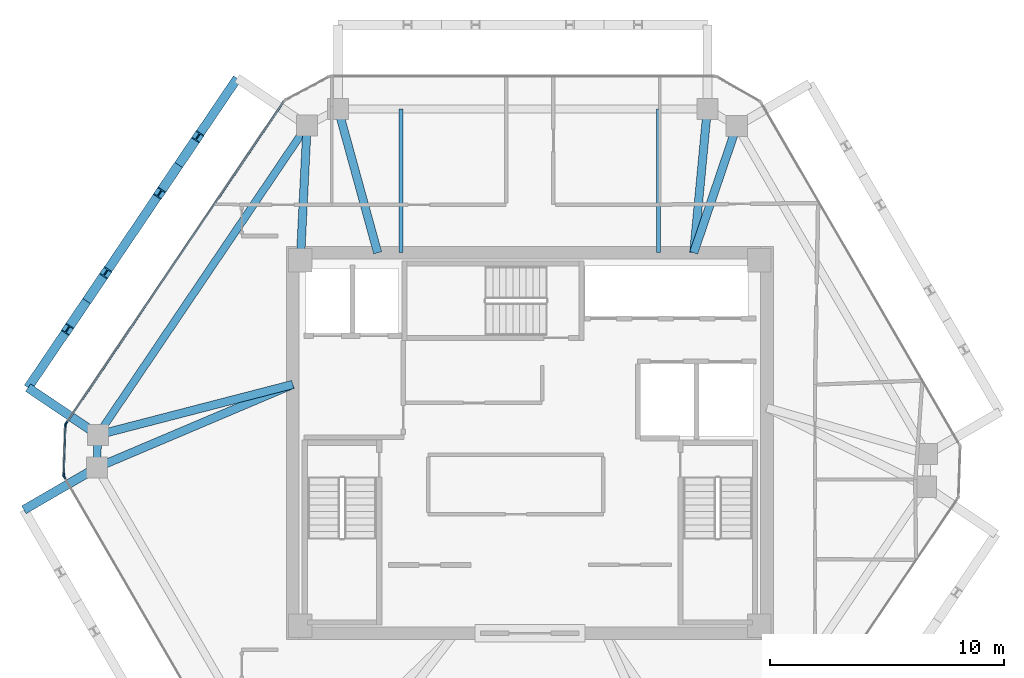
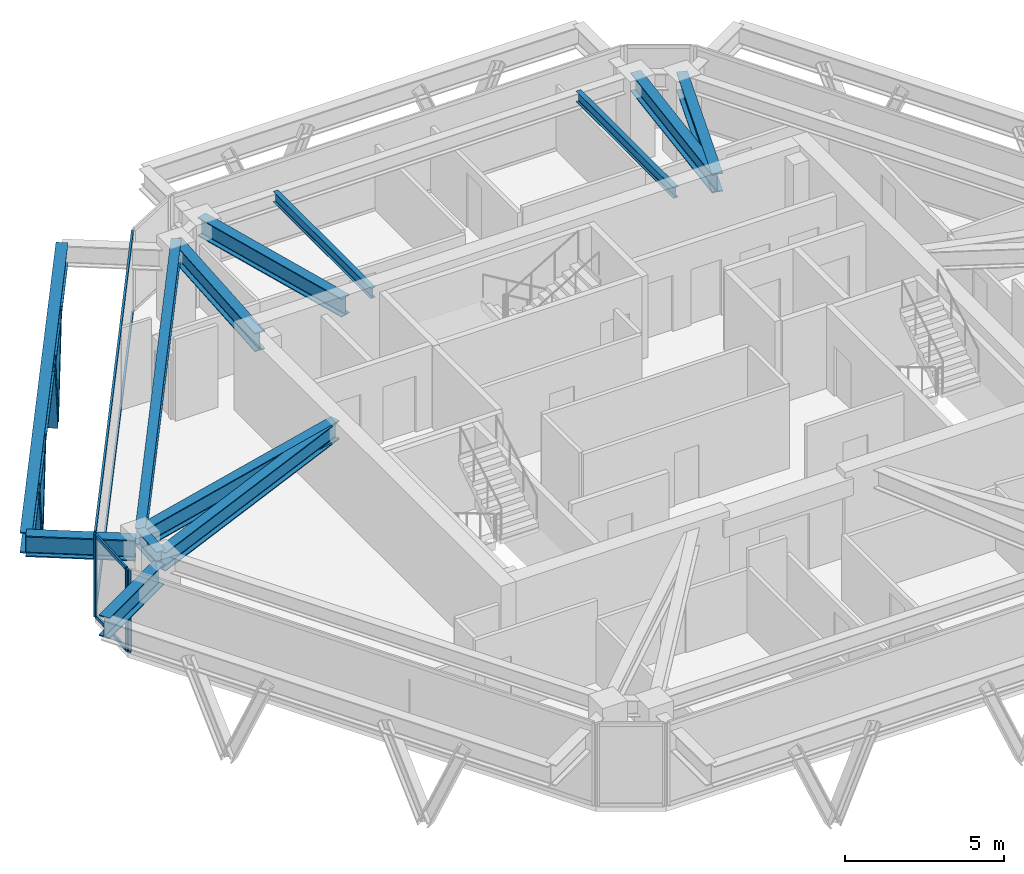
# One storey, part 4 of 11: 13 beams, 12 members, 3 elements without a shape of their own.
"""IFC4 building model written with IfcOpenShell, lengths in metres."""

from ifc_helpers import new_model, si_unit, direction, frame, origin, origin_2d, place, context, subcontext, project, spatial, rectangle, i_section, extrude, source, transform, mapped, material, layer, layer_set, material_profile, profile_set, type_object, type_shapes, element, aggregate, save


model = new_model("IFC4")

# Units and contexts
model_context = context("Model", 3, precision=1e-05, world=origin(), true_north=direction((0.0, 1.0)))
body_context = subcontext(model_context, "Body", "Model", "MODEL_VIEW")
ifc_project = project(units=[si_unit("LENGTHUNIT", "METRE"), si_unit("AREAUNIT", "SQUARE_METRE"), si_unit("VOLUMEUNIT", "CUBIC_METRE"), si_unit("PLANEANGLEUNIT", "RADIAN"), si_unit("MASSUNIT", "GRAM", prefix="KILO")], contexts=[model_context])

# Site, building, storey
site_placement = place(None, origin())
site = spatial("IfcSite", under=ifc_project, at=site_placement, CompositionType="ELEMENT")
building_placement = place(site_placement, origin())
building = spatial("IfcBuilding", under=site, at=building_placement, Name="Durnholm Broadcast Tower", CompositionType="ELEMENT")
storey_placement = place(building_placement, frame((0.0, 0.0, 251.300048828125)))
storey = spatial("IfcBuildingStorey", under=building, at=storey_placement, Name="L70", CompositionType="ELEMENT", Elevation=251.300048828125)

# Beams
ifc_material_1 = material(Name="Steel ASTM A992 Grade 50", Category="steel")
ifc_material_profile_1 = material_profile(ifc_material_1, i_section(OverallWidth=0.385009765625, OverallDepth=0.802978515625, WebThickness=0.023681640625, FlangeThickness=0.0419921875, FilletRadius=0.032958984375, at=origin_2d()), Name="W30X261")
ifc_profile_set_1 = profile_set([ifc_material_profile_1], Name="Steel ASTM A992 Grade 50")
beam_type_1 = type_object("IfcBeamType", Name="BM-EXO-TIE", PredefinedType="USERDEFINED", material=ifc_profile_set_1)
shared_shape_1 = source(origin(), body_context, "Body", "SweptSolid", [
    extrude(i_section(OverallWidth=0.385009765625, OverallDepth=0.802978515625, WebThickness=0.023681640625, FlangeThickness=0.0419921875, FilletRadius=0.032958984375, at=origin_2d()), origin(), (0.0, 0.0, 1.0), 3.4560546875),
])
for number, where, z_axis, x_axis, name in (
    (1, (-18.565673828125, 0.426513671875, 2.408447265625), (-0.828413564093, 0.56011692246, 0.0), (-0.56011692246, -0.828413564093, 0.0), "L70 exoskeleton stand-off tie bracket F5.2"),
    (2, (-18.618896484375, -1.1201171875, 2.408447265625), (-0.864876013532, -0.501985538852, 0.0), (0.501985538852, -0.864876013532, 0.0), "L70 exoskeleton stand-off tie bracket F6.1"),
):
    element("IfcBeam", number, at=place(storey_placement, frame(where, z_axis=z_axis, x_axis=x_axis)), inside=storey, type_object=beam_type_1, Name=name, ObjectType="GIRDER", PredefinedType="USERDEFINED", context=body_context, shape_type="MappedRepresentation", body=[
        mapped(shared_shape_1, transform((0.0, 0.0, 0.0), x_axis=(1.0, 0.0, 0.0), y_axis=(0.0, 1.0, 0.0), z_axis=(0.0, 0.0, 1.0), scale=1.0)),
    ])
ifc_material_profile_2 = material_profile(ifc_material_1, i_section(OverallWidth=0.3251953125, OverallDepth=0.6162109375, WebThickness=0.013916015625, FlangeThickness=0.021484375, FilletRadius=0.02783203125, at=origin_2d()), Name="W24X117")
ifc_profile_set_2 = profile_set([ifc_material_profile_2], Name="Steel ASTM A992 Grade 50")
beam_type_2 = type_object("IfcBeamType", Name="STL-SP-W24X117", PredefinedType="SPANDREL", material=ifc_profile_set_2)
shared_shape_2 = source(origin(), body_context, "Body", "SweptSolid", [
    extrude(i_section(OverallWidth=0.3251953125, OverallDepth=0.6162109375, WebThickness=0.013916015625, FlangeThickness=0.021484375, FilletRadius=0.02783203125, at=origin_2d()), origin(), (0.0, 0.0, 1.0), 1.39453125),
])
beam_1_placement = place(storey_placement, frame((-18.494384765625, -1.0478515625, 2.8369140625), z_axis=(0.034486393061, 0.999405167434, 0.0), x_axis=(-0.999405167434, 0.034486393061, 0.0)))
element("IfcBeam", 3, at=beam_1_placement, inside=storey, type_object=beam_type_2, Name="L70 perimeter spandrel girder 02", PredefinedType="SPANDREL", context=body_context, shape_type="MappedRepresentation", body=[
    mapped(shared_shape_2, transform((0.0, 0.0, 0.0), x_axis=(1.0, 0.0, 0.0), y_axis=(0.0, 1.0, 0.0), z_axis=(0.0, 0.0, 1.0), scale=1.0)),
])
shared_shape_3 = source(origin(), body_context, "Body", "SweptSolid", [
    extrude(i_section(OverallWidth=0.3251953125, OverallDepth=0.6162109375, WebThickness=0.013916015625, FlangeThickness=0.021484375, FilletRadius=0.02783203125, at=origin_2d()), origin(), (0.0, 0.0, 1.0), 15.947265625),
])
type_shapes(beam_type_2, [shared_shape_2, shared_shape_3])
beam_2_placement = place(storey_placement, frame((-18.4462890625, 0.345947265625, 2.8369140625), z_axis=(0.560062212489, 0.828450552623, 0.0), x_axis=(-0.828450552623, 0.560062212489, 0.0)))
element("IfcBeam", 4, at=beam_2_placement, inside=storey, type_object=beam_type_2, Name="L70 perimeter spandrel girder 03", PredefinedType="SPANDREL", context=body_context, shape_type="MappedRepresentation", body=[
    mapped(shared_shape_3, transform((0.0, 0.0, 0.0), x_axis=(1.0, 0.0, 0.0), y_axis=(0.0, 1.0, 0.0), z_axis=(0.0, 0.0, 1.0), scale=1.0)),
])
ifc_material_profile_3 = material_profile(ifc_material_1, i_section(OverallWidth=0.3564453125, OverallDepth=0.713623046875, WebThickness=0.01904296875, FlangeThickness=0.033935546875, FilletRadius=0.030517578125, at=origin_2d()), Name="W27X194")
ifc_profile_set_3 = profile_set([ifc_material_profile_3], Name="Steel ASTM A992 Grade 50")
beam_type_3 = type_object("IfcBeamType", Name="STL-GR-W27X194", PredefinedType="USERDEFINED", material=ifc_profile_set_3)
shared_shape_4 = source(origin(), body_context, "Body", "SweptSolid", [
    extrude(i_section(OverallWidth=0.3564453125, OverallDepth=0.713623046875, WebThickness=0.01904296875, FlangeThickness=0.033935546875, FilletRadius=0.030517578125, at=origin_2d()), origin(), (0.0, 0.0, 1.0), 5.764404296875),
])
beam_3_placement = place(storey_placement, frame((-9.800048828125, 7.800048828125, 2.7880859375), z_axis=(0.049468662109, 0.99877567625, 0.0), x_axis=(-0.99877567625, 0.049468662109, 0.0)))
element("IfcBeam", 5, at=beam_3_placement, inside=storey, type_object=beam_type_3, Name="L70 radial primary floor girder 04", ObjectType="GIRDER", PredefinedType="USERDEFINED", context=body_context, shape_type="MappedRepresentation", body=[
    mapped(shared_shape_4, transform((0.0, 0.0, 0.0), x_axis=(1.0, 0.0, 0.0), y_axis=(0.0, 1.0, 0.0), z_axis=(0.0, 0.0, 1.0), scale=1.0)),
])
shared_shape_5 = source(origin(), body_context, "Body", "SweptSolid", [
    extrude(i_section(OverallWidth=0.385009765625, OverallDepth=0.802978515625, WebThickness=0.023681640625, FlangeThickness=0.0419921875, FilletRadius=0.032958984375, at=origin_2d()), origin(), (0.0, 0.0, 1.0), 15.947021484375),
])
type_shapes(beam_type_1, [shared_shape_1, shared_shape_5])
beam_4_placement = place(storey_placement, frame((-12.497314453125, 15.573486328125, 2.408447265625), z_axis=(-0.560069315853, -0.828445750451, 0.0), x_axis=(0.828445750451, -0.560069315853, 0.0)))
element("IfcBeam", 6, at=beam_4_placement, inside=storey, type_object=beam_type_1, Name="L70 exoskeleton collector spandrel F5", PredefinedType="SPANDREL", context=body_context, shape_type="MappedRepresentation", body=[
    mapped(shared_shape_5, transform((0.0, 0.0, 0.0), x_axis=(1.0, 0.0, 0.0), y_axis=(0.0, 1.0, 0.0), z_axis=(0.0, 0.0, 1.0), scale=1.0)),
])
shared_shape_6 = source(origin(), body_context, "Body", "SweptSolid", [
    extrude(i_section(OverallWidth=0.3564453125, OverallDepth=0.713623046875, WebThickness=0.01904296875, FlangeThickness=0.033935546875, FilletRadius=0.030517578125, at=origin_2d()), origin(), (0.0, 0.0, 1.0), 9.09033203125),
])
beam_5_placement = place(storey_placement, frame((-10.125, 2.5, 2.7880859375), z_axis=(-0.920692350722, -0.390289117607, 0.0), x_axis=(0.390289117607, -0.920692350722, 0.0)))
element("IfcBeam", 7, at=beam_5_placement, inside=storey, type_object=beam_type_3, Name="L70 radial primary floor girder 02", ObjectType="GIRDER", PredefinedType="USERDEFINED", context=body_context, shape_type="MappedRepresentation", body=[
    mapped(shared_shape_6, transform((0.0, 0.0, 0.0), x_axis=(1.0, 0.0, 0.0), y_axis=(0.0, 1.0, 0.0), z_axis=(0.0, 0.0, 1.0), scale=1.0)),
])
shared_shape_7 = source(origin(), body_context, "Body", "SweptSolid", [
    extrude(i_section(OverallWidth=0.3564453125, OverallDepth=0.713623046875, WebThickness=0.01904296875, FlangeThickness=0.033935546875, FilletRadius=0.030517578125, at=origin_2d()), origin(), (0.0, 0.0, 1.0), 8.595458984375),
])
beam_6_placement = place(storey_placement, frame((-10.125, 2.5, 2.7880859375), z_axis=(-0.968090619149, -0.250600385306, 0.0), x_axis=(0.250600385306, -0.968090619149, 0.0)))
element("IfcBeam", 8, at=beam_6_placement, inside=storey, type_object=beam_type_3, Name="L70 radial primary floor girder 03", ObjectType="GIRDER", PredefinedType="USERDEFINED", context=body_context, shape_type="MappedRepresentation", body=[
    mapped(shared_shape_7, transform((0.0, 0.0, 0.0), x_axis=(1.0, 0.0, 0.0), y_axis=(0.0, 1.0, 0.0), z_axis=(0.0, 0.0, 1.0), scale=1.0)),
])
shared_shape_8 = source(origin(), body_context, "Body", "SweptSolid", [
    extrude(i_section(OverallWidth=0.3564453125, OverallDepth=0.713623046875, WebThickness=0.01904296875, FlangeThickness=0.033935546875, FilletRadius=0.030517578125, at=origin_2d()), origin(), (0.0, 0.0, 1.0), 6.36474609375),
])
beam_7_placement = place(storey_placement, frame((-6.5, 8.125, 2.7880859375), z_axis=(-0.265168072834, 0.96420220553, 0.0), x_axis=(-0.96420220553, -0.265168072834, 0.0)))
element("IfcBeam", 9, at=beam_7_placement, inside=storey, type_object=beam_type_3, Name="L70 radial primary floor girder 05", ObjectType="GIRDER", PredefinedType="USERDEFINED", context=body_context, shape_type="MappedRepresentation", body=[
    mapped(shared_shape_8, transform((0.0, 0.0, 0.0), x_axis=(1.0, 0.0, 0.0), y_axis=(0.0, 1.0, 0.0), z_axis=(0.0, 0.0, 1.0), scale=1.0)),
])
shared_shape_9 = source(origin(), body_context, "Body", "SweptSolid", [
    extrude(i_section(OverallWidth=0.3564453125, OverallDepth=0.713623046875, WebThickness=0.01904296875, FlangeThickness=0.033935546875, FilletRadius=0.030517578125, at=origin_2d()), origin(), (0.0, 0.0, 1.0), 6.164306640625),
])
beam_8_placement = place(storey_placement, frame((7.0, 8.125, 2.7880859375), z_axis=(0.094024068139, 0.995569924521, 0.0), x_axis=(-0.995569924521, 0.094024068139, 0.0)))
element("IfcBeam", 10, at=beam_8_placement, inside=storey, type_object=beam_type_3, Name="L70 radial primary floor girder 06", ObjectType="GIRDER", PredefinedType="USERDEFINED", context=body_context, shape_type="MappedRepresentation", body=[
    mapped(shared_shape_9, transform((0.0, 0.0, 0.0), x_axis=(1.0, 0.0, 0.0), y_axis=(0.0, 1.0, 0.0), z_axis=(0.0, 0.0, 1.0), scale=1.0)),
])
shared_shape_10 = source(origin(), body_context, "Body", "SweptSolid", [
    extrude(i_section(OverallWidth=0.3564453125, OverallDepth=0.713623046875, WebThickness=0.01904296875, FlangeThickness=0.033935546875, FilletRadius=0.030517578125, at=origin_2d()), origin(), (0.0, 0.0, 1.0), 5.716064453125),
])
type_shapes(beam_type_3, [shared_shape_4, shared_shape_6, shared_shape_7, shared_shape_8, shared_shape_9, shared_shape_10])
beam_9_placement = place(storey_placement, frame((7.0, 8.125, 2.7880859375), z_axis=(0.321450919754, 0.946926241156, 0.0), x_axis=(-0.946926241156, 0.321450919754, 0.0)))
element("IfcBeam", 11, at=beam_9_placement, inside=storey, type_object=beam_type_3, Name="L70 radial primary floor girder 07", ObjectType="GIRDER", PredefinedType="USERDEFINED", context=body_context, shape_type="MappedRepresentation", body=[
    mapped(shared_shape_10, transform((0.0, 0.0, 0.0), x_axis=(1.0, 0.0, 0.0), y_axis=(0.0, 1.0, 0.0), z_axis=(0.0, 0.0, 1.0), scale=1.0)),
])
ifc_material_profile_4 = material_profile(ifc_material_1, i_section(OverallWidth=0.177734375, OverallDepth=0.40673828125, WebThickness=0.0078125, FlangeThickness=0.0126953125, FilletRadius=0.01904296875, at=origin_2d()), Name="W16X40")
ifc_profile_set_4 = profile_set([ifc_material_profile_4], Name="Steel ASTM A992 Grade 50")
beam_type_4 = type_object("IfcBeamType", Name="STL-BJ-W16X40", PredefinedType="JOIST", material=ifc_profile_set_4)
shared_shape_11 = source(origin(), body_context, "Body", "SweptSolid", [
    extrude(i_section(OverallWidth=0.177734375, OverallDepth=0.40673828125, WebThickness=0.0078125, FlangeThickness=0.0126953125, FilletRadius=0.01904296875, at=origin_2d()), origin(), (0.0, 0.0, 1.0), 6.136962890625),
])
type_shapes(beam_type_4, [shared_shape_11])
for number, where, z_axis, x_axis, name in (
    (12, (-5.5, 8.125, 2.941650390625), (0.0, 1.0, 0.0), (-1.0, 0.0, 0.0), "L70 secondary floor joist 3.2"),
    (13, (5.5, 8.125, 2.941650390625), (0.0, 1.0, 0.0), (-1.0, 0.0, 0.0), "L70 secondary floor joist 4.2"),
):
    element("IfcBeam", number, at=place(storey_placement, frame(where, z_axis=z_axis, x_axis=x_axis)), inside=storey, type_object=beam_type_4, Name=name, PredefinedType="JOIST", context=body_context, shape_type="MappedRepresentation", body=[
        mapped(shared_shape_11, transform((0.0, 0.0, 0.0), x_axis=(1.0, 0.0, 0.0), y_axis=(0.0, 1.0, 0.0), z_axis=(0.0, 0.0, 1.0), scale=1.0)),
    ])

# Members
ifc_material_2 = material(Name="Steel ASTM A913 Grade 65", Category="steel")
ifc_material_profile_5 = material_profile(ifc_material_2, i_section(OverallWidth=0.40625, OverallDepth=0.416015625, WebThickness=0.02978515625, FlangeThickness=0.048095703125, FilletRadius=0.030517578125, at=origin_2d()), Name="W14X257")
ifc_profile_set_5 = profile_set([ifc_material_profile_5], Name="Steel ASTM A913 Grade 65")
member_type_1 = type_object("IfcMemberType", Name="STL-DG-W14X257", PredefinedType="BRACE", material=ifc_profile_set_5)
shared_shape_12 = source(origin(), body_context, "Body", "SweptSolid", [
    extrude(i_section(OverallWidth=0.40625, OverallDepth=0.416015625, WebThickness=0.02978515625, FlangeThickness=0.048095703125, FilletRadius=0.030517578125, at=origin_2d()), origin(), (0.0, 0.0, 1.0), 3.699462890625),
])
type_shapes(member_type_1, [shared_shape_12])
for number, where, z_axis, x_axis, name in (
    (14, (-14.998046875, 11.874267578125, -0.991455078125), (0.220747552847, 0.32660078895, 0.919022547367), (-0.828505003222, 0.559981660089, 0.0), "L70 stand-off diagrid brace F5.D1.1"),
    (15, (-14.998046875, 11.874267578125, -0.991455078125), (-0.220752310393, -0.326541833132, 0.919042354122), (0.828452496411, -0.560059337206, 0.0), "L70 stand-off diagrid brace F5.D1.2"),
    (16, (-18.927978515625, 6.061279296875, -0.991455078125), (0.220752310393, 0.326541833132, 0.919042354122), (-0.828452496411, 0.560059337206, 0.0), "L70 stand-off diagrid brace F5.D2.1"),
    (17, (-18.927978515625, 6.061279296875, -0.991455078125), (-0.220752310393, -0.326541833132, 0.919042354122), (0.828452496411, -0.560059337206, 0.0), "L70 stand-off diagrid brace F5.D2.2"),
):
    element("IfcMember", number, at=place(storey_placement, frame(where, z_axis=z_axis, x_axis=x_axis)), inside=storey, type_object=member_type_1, Name=name, PredefinedType="BRACE", context=body_context, shape_type="MappedRepresentation", body=[
        mapped(shared_shape_12, transform((0.0, 0.0, 0.0), x_axis=(1.0, 0.0, 0.0), y_axis=(0.0, 1.0, 0.0), z_axis=(0.0, 0.0, 1.0), scale=1.0)),
    ])

# Curtain wall, members
ifc_material_3 = material(Name="Aluminium and Solar Control IGU", Category="aluminium")
ifc_layer_1 = layer(ifc_material_3, 0.1650390625)
ifc_layer_set_1 = layer_set([ifc_layer_1], Name="Aluminium and Solar Control IGU")
curtain_wall_type_1 = type_object("IfcCurtainWallType", Name="CW-SYS-5", PredefinedType="NOTDEFINED", material=ifc_layer_set_1)
curtain_wall_1_placement = place(storey_placement, origin())
curtain_wall_1 = element("IfcCurtainWall", 18, at=curtain_wall_1_placement, inside=storey, type_object=curtain_wall_type_1, Name="L70 curtain wall CW-CORNER CW-L70-CRN-01", PredefinedType="NOTDEFINED")
ifc_material_4 = material(Name="Aluminium 6063-T6", Category="aluminium")
ifc_material_profile_6 = material_profile(ifc_material_4, rectangle(XDim=0.06494140625, YDim=0.1298828125, at=origin_2d()), Name="CWT65X130")
ifc_profile_set_6 = profile_set([ifc_material_profile_6], Name="Aluminium 6063-T6")
member_type_2 = type_object("IfcMemberType", Name="CW-SYS-5-TRN", PredefinedType="USERDEFINED", material=ifc_profile_set_6)
shared_shape_13 = source(origin(), body_context, "Body", "SweptSolid", [
    extrude(rectangle(XDim=0.06494140625, YDim=0.1298828125, at=origin_2d()), origin(), (0.0, 0.0, 1.0), 2.070068359375),
])
type_shapes(member_type_2, [shared_shape_13])
member_1_placement = place(storey_placement, frame((-19.905029296875, -1.33740234375, 0.032470703125), z_axis=(0.034320104965, 0.999410891673, 0.0), x_axis=(-0.999410891673, 0.034320104965, 0.0)))
member_1 = element("IfcMember", 19, at=member_1_placement, type_object=member_type_2, Name="CW-CORNER transom 1.1", ObjectType="TRANSOM", PredefinedType="USERDEFINED", context=body_context, shape_type="MappedRepresentation", body=[
    mapped(shared_shape_13, transform((0.0, 0.0, 0.0), x_axis=(1.0, 0.0, 0.0), y_axis=(0.0, 1.0, 0.0), z_axis=(0.0, 0.0, 1.0), scale=1.0)),
])
member_2_placement = place(storey_placement, frame((-19.905029296875, -1.33740234375, 3.12744140625), z_axis=(0.034320104965, 0.999410891673, 0.0), x_axis=(-0.999410891673, 0.034320104965, 0.0)))
member_2 = element("IfcMember", 20, at=member_2_placement, type_object=member_type_2, Name="CW-CORNER transom 1.2", ObjectType="TRANSOM", PredefinedType="USERDEFINED", context=body_context, shape_type="MappedRepresentation", body=[
    mapped(shared_shape_13, transform((0.0, 0.0, 0.0), x_axis=(1.0, 0.0, 0.0), y_axis=(0.0, 1.0, 0.0), z_axis=(0.0, 0.0, 1.0), scale=1.0)),
])

ifc_layer_2 = layer(ifc_material_3, 0.18994140625)
ifc_layer_set_2 = layer_set([ifc_layer_2], Name="Aluminium and Solar Control IGU")
curtain_wall_type_2 = type_object("IfcCurtainWallType", Name="CW-SYS-4", PredefinedType="NOTDEFINED", material=ifc_layer_set_2)
curtain_wall_2_placement = place(storey_placement, origin())
curtain_wall_2 = element("IfcCurtainWall", 21, at=curtain_wall_2_placement, inside=storey, type_object=curtain_wall_type_2, Name="L70 curtain wall CW-Z34-VIS CW-L70-F02", PredefinedType="NOTDEFINED")
ifc_material_profile_7 = material_profile(ifc_material_4, rectangle(XDim=0.070068359375, YDim=0.14990234375, at=origin_2d()), Name="CWT70X150")
ifc_profile_set_7 = profile_set([ifc_material_profile_7], Name="Aluminium 6063-T6")
member_type_3 = type_object("IfcMemberType", Name="CW-SYS-4-TRN", PredefinedType="USERDEFINED", material=ifc_profile_set_7)
shared_shape_14 = source(origin(), body_context, "Body", "SweptSolid", [
    extrude(rectangle(XDim=0.070068359375, YDim=0.14990234375, at=origin_2d()), origin(), (0.0, 0.0, 1.0), 16.55859375),
])
type_shapes(member_type_3, [shared_shape_14])
member_3_placement = place(storey_placement, frame((-19.79248046875, 0.8544921875, 0.034912109375), z_axis=(0.560071338091, 0.828444383317, 0.0), x_axis=(-0.828444383317, 0.560071338091, 0.0)))
member_3 = element("IfcMember", 22, at=member_3_placement, type_object=member_type_3, Name="CW-Z34-VIS transom 1.1", ObjectType="TRANSOM", PredefinedType="USERDEFINED", context=body_context, shape_type="MappedRepresentation", body=[
    mapped(shared_shape_14, transform((0.0, 0.0, 0.0), x_axis=(1.0, 0.0, 0.0), y_axis=(0.0, 1.0, 0.0), z_axis=(0.0, 0.0, 1.0), scale=1.0)),
])
member_4_placement = place(storey_placement, frame((-19.79248046875, 0.8544921875, 3.125), z_axis=(0.560071338091, 0.828444383317, 0.0), x_axis=(-0.828444383317, 0.560071338091, 0.0)))
member_4 = element("IfcMember", 23, at=member_4_placement, type_object=member_type_3, Name="CW-Z34-VIS transom 1.2", ObjectType="TRANSOM", PredefinedType="USERDEFINED", context=body_context, shape_type="MappedRepresentation", body=[
    mapped(shared_shape_14, transform((0.0, 0.0, 0.0), x_axis=(1.0, 0.0, 0.0), y_axis=(0.0, 1.0, 0.0), z_axis=(0.0, 0.0, 1.0), scale=1.0)),
])

# Member
ifc_material_profile_8 = material_profile(ifc_material_4, rectangle(XDim=0.06494140625, YDim=0.1650390625, at=origin_2d()), Name="CWM65X165")
ifc_profile_set_8 = profile_set([ifc_material_profile_8], Name="Aluminium 6063-T6")
member_type_4 = type_object("IfcMemberType", Name="CW-SYS-5-MUL", PredefinedType="MULLION", material=ifc_profile_set_8)
shared_shape_15 = source(origin(), body_context, "Body", "SweptSolid", [
    extrude(rectangle(XDim=0.06494140625, YDim=0.1650390625, at=origin_2d()), origin(), (0.0, 0.0, 1.0), 3.159912109375),
])
type_shapes(member_type_4, [shared_shape_15])
member_5_placement = place(storey_placement, frame((-19.90625, -1.369873046875, 0.0), z_axis=(0.0, 0.0, 1.0), x_axis=(-0.999410955514, 0.034318245849, 0.0)))
member_5 = element("IfcMember", 24, at=member_5_placement, type_object=member_type_4, Name="CW-CORNER mullion 1", PredefinedType="MULLION", context=body_context, shape_type="MappedRepresentation", body=[
    mapped(shared_shape_15, transform((0.0, 0.0, 0.0), x_axis=(1.0, 0.0, 0.0), y_axis=(0.0, 1.0, 0.0), z_axis=(0.0, 0.0, 1.0), scale=1.0)),
])

member_6_placement = place(storey_placement, frame((-19.8330078125, 0.763916015625, 0.0), z_axis=(0.0, 0.0, 1.0), x_axis=(-0.999410955514, 0.034318245849, 0.0)))
member_6 = element("IfcMember", 25, at=member_6_placement, type_object=member_type_4, Name="CW-CORNER mullion 2", PredefinedType="MULLION", context=body_context, shape_type="MappedRepresentation", body=[
    mapped(shared_shape_15, transform((0.0, 0.0, 0.0), x_axis=(1.0, 0.0, 0.0), y_axis=(0.0, 1.0, 0.0), z_axis=(0.0, 0.0, 1.0), scale=1.0)),
])

aggregate(curtain_wall_1, [member_5, member_6, member_1, member_2])

ifc_material_profile_9 = material_profile(ifc_material_4, rectangle(XDim=0.070068359375, YDim=0.18994140625, at=origin_2d()), Name="CWM70X190")
ifc_profile_set_9 = profile_set([ifc_material_profile_9], Name="Aluminium 6063-T6")
member_type_5 = type_object("IfcMemberType", Name="CW-SYS-4-MUL", PredefinedType="MULLION", material=ifc_profile_set_9)
shared_shape_16 = source(origin(), body_context, "Body", "SweptSolid", [
    extrude(rectangle(XDim=0.070068359375, YDim=0.18994140625, at=origin_2d()), origin(), (0.0, 0.0, 1.0), 3.159912109375),
])
type_shapes(member_type_5, [shared_shape_16])
member_7_placement = place(storey_placement, frame((-19.812255859375, 0.825439453125, 0.0), z_axis=(0.0, 0.0, 1.0), x_axis=(-0.828443431662, 0.560072745753, 0.0)))
member_7 = element("IfcMember", 26, at=member_7_placement, type_object=member_type_5, Name="CW-Z34-VIS mullion 1", PredefinedType="MULLION", context=body_context, shape_type="MappedRepresentation", body=[
    mapped(shared_shape_16, transform((0.0, 0.0, 0.0), x_axis=(1.0, 0.0, 0.0), y_axis=(0.0, 1.0, 0.0), z_axis=(0.0, 0.0, 1.0), scale=1.0)),
])

aggregate(curtain_wall_2, [member_7, member_3, member_4])

# Curtain wall, member
curtain_wall_3_placement = place(storey_placement, origin())
curtain_wall_3 = element("IfcCurtainWall", 27, at=curtain_wall_3_placement, inside=storey, type_object=curtain_wall_type_2, Name="L70 curtain wall CW-Z34-VIS CW-L70-F12", PredefinedType="NOTDEFINED")
member_8_placement = place(storey_placement, frame((-19.8896484375, -1.4326171875, 0.0), z_axis=(0.0, 0.0, 1.0), x_axis=(-0.864899883824, -0.50194441023, 0.0)))
member_8 = element("IfcMember", 28, at=member_8_placement, type_object=member_type_5, Name="CW-Z34-VIS mullion 2", PredefinedType="MULLION", context=body_context, shape_type="MappedRepresentation", body=[
    mapped(shared_shape_16, transform((0.0, 0.0, 0.0), x_axis=(1.0, 0.0, 0.0), y_axis=(0.0, 1.0, 0.0), z_axis=(0.0, 0.0, 1.0), scale=1.0)),
])
aggregate(curtain_wall_3, [member_8])

save(model, "model.ifc")
